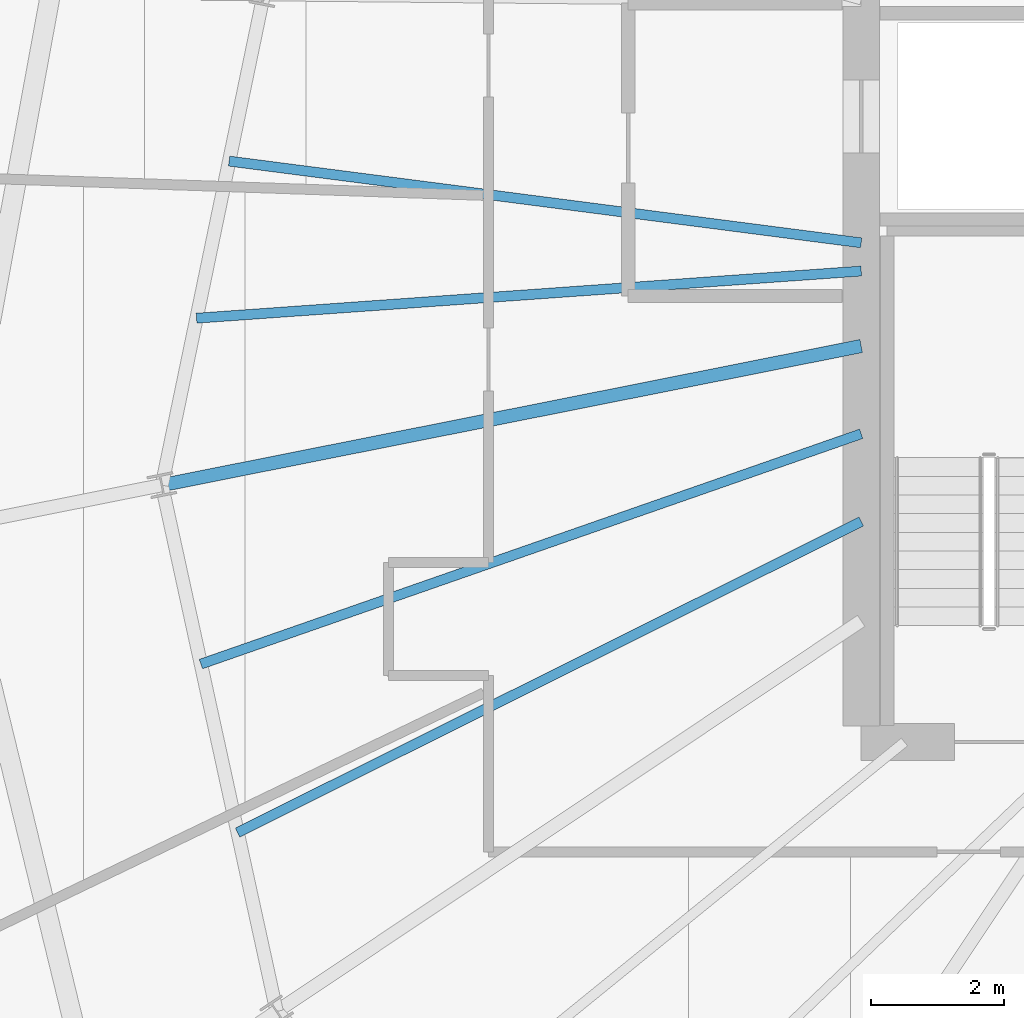
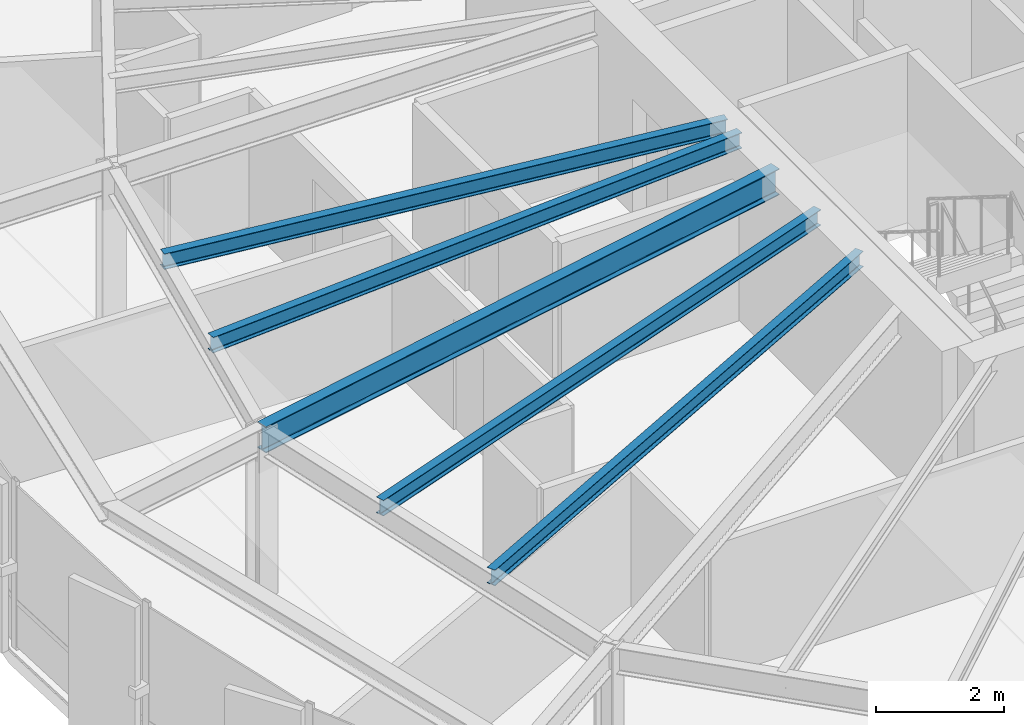
# One storey, part 9 of 35: 5 beams.
"""IFC4 building model written with IfcOpenShell, lengths in metres."""

import ifcopenshell
import ifcopenshell.guid

model = None  # the IFC model being written
_history = None  # IfcOwnerHistory: only IFC2X3 demands one
_inside = {}  # id of a spatial element -> (the spatial element, [elements in it])
_under = {}  # id of a project, library or spatial element -> (it, [spatial elements below it])
_declared = {}  # id of a project -> (the project, [libraries it declares])
_typed = {}  # id of a type object -> (the type object, [elements of that type])
_made_of = {}  # id of a material, layer set ... -> (it, [elements and type objects made of it])


def new_model(schema):
    """Start an empty IFC model of exactly this schema.

    Asked for "IFC4X3", IfcOpenShell would pick the latest addendum, in which some entities
    have other attributes; the version numbers below select the first issue.
    IFC2X3 requires an IfcOwnerHistory on every rooted entity: one is made here for all.
    """
    global model, _history
    if schema == "IFC4X3":
        model = ifcopenshell.file(schema_version=(4, 3, 0, 0))
    else:
        model = ifcopenshell.file(schema=schema)
    _inside.clear()
    _under.clear()
    _declared.clear()
    _typed.clear()
    _made_of.clear()
    _history = None
    if model.schema == "IFC2X3":
        org = make("IfcOrganization", Name="unknown")
        user = make(
            "IfcPersonAndOrganization",
            ThePerson=make("IfcPerson", FamilyName="unknown"),
            TheOrganization=org,
        )
        app = make(
            "IfcApplication",
            ApplicationDeveloper=org,
            Version="unknown",
            ApplicationFullName="unknown",
            ApplicationIdentifier="unknown",
        )
        _history = make(
            "IfcOwnerHistory",
            OwningUser=user,
            OwningApplication=app,
            ChangeAction="ADDED",
            CreationDate=0,
        )
    return model


def make(cls, **values):
    """One entity of the class cls with the attributes given. An attribute that is None is left unset."""
    return model.create_entity(
        cls, **{name: value for name, value in values.items() if value is not None}
    )


def rooted(cls, **values):
    """An entity with a GlobalId (a new one), such as an element, a storey or a relation."""
    return make(cls, GlobalId=ifcopenshell.guid.new(), OwnerHistory=_history, **values)


def si_unit(unit_type, name, prefix=None):
    """IfcSIUnit, for example si_unit("LENGTHUNIT", "METRE", prefix="MILLI")."""
    return make("IfcSIUnit", UnitType=unit_type, Prefix=prefix, Name=name)


def assignment(units):
    """IfcUnitAssignment: the units of a project."""
    return None if units is None else make("IfcUnitAssignment", Units=units)


def point(xyz):
    """IfcCartesianPoint."""
    return None if xyz is None else make("IfcCartesianPoint", Coordinates=xyz)


def direction(xyz):
    """IfcDirection."""
    return None if xyz is None else make("IfcDirection", DirectionRatios=xyz)


def frame(location, z_axis=None, x_axis=None):
    """IfcAxis2Placement3D, a coordinate frame: its origin and axes. An axis left out is left unset."""
    return make(
        "IfcAxis2Placement3D",
        Location=point(location),
        Axis=direction(z_axis),
        RefDirection=direction(x_axis),
    )


def frame_2d(location, x_axis=None):
    """IfcAxis2Placement2D, a coordinate frame in the plane: its origin and x axis."""
    return make(
        "IfcAxis2Placement2D", Location=point(location), RefDirection=direction(x_axis)
    )


def origin():
    """The frame at (0, 0, 0) with its axes left unset."""
    return frame((0.0, 0.0, 0.0))


def origin_2d():
    """The frame at (0, 0) in the plane with its x axis left unset."""
    return frame_2d((0.0, 0.0))


def place(relative_to, where):
    """IfcLocalPlacement: puts the frame where relative to a parent placement (None: the world)."""
    return make(
        "IfcLocalPlacement", PlacementRelTo=relative_to, RelativePlacement=where
    )


def context(
    kind, dimensions, precision=None, world=None, true_north=None, identifier=None
):
    """IfcGeometricRepresentationContext, for example the 3D "Model" context."""
    return make(
        "IfcGeometricRepresentationContext",
        ContextIdentifier=identifier,
        ContextType=kind,
        CoordinateSpaceDimension=dimensions,
        Precision=precision,
        WorldCoordinateSystem=world,
        TrueNorth=true_north,
    )


def subcontext(parent, identifier, kind, view, scale=None):
    """IfcGeometricRepresentationSubContext, for example "Body" below "Model"."""
    return make(
        "IfcGeometricRepresentationSubContext",
        ContextIdentifier=identifier,
        ContextType=kind,
        ParentContext=parent,
        TargetScale=scale,
        TargetView=view,
    )


def project(units=None, contexts=None):
    """IfcProject with its units and contexts."""
    return rooted(
        "IfcProject",
        Name="project",
        RepresentationContexts=contexts,
        UnitsInContext=assignment(units),
    )


def spatial(cls, under=None, at=None, **own):
    """A site, building, storey or space (cls), placed at a placement, below another one or the project."""
    s = rooted(cls, ObjectPlacement=at, **own)
    if under is not None:
        _under.setdefault(under.id(), (under, []))[1].append(s)
    return s


def profile(cls, at=None, kind="AREA", **sizes):
    """A parametric profile (cls). Its sizes go by their IFC names, for example OverallWidth=200.0."""
    return make(cls, ProfileType=kind, Position=at, **sizes)


def i_section(**sizes):
    """IfcIShapeProfileDef."""
    return profile("IfcIShapeProfileDef", **sizes)


def extrude(swept, where, along, depth):
    """IfcExtrudedAreaSolid: the profile swept, set in the frame where, extruded along a direction by depth."""
    return make(
        "IfcExtrudedAreaSolid",
        SweptArea=swept,
        Position=where,
        ExtrudedDirection=direction(along),
        Depth=depth,
    )


def shape(context_of_items, identifier, shape_type, items):
    """IfcShapeRepresentation: the items that make up one representation, for example the "Body"."""
    return make(
        "IfcShapeRepresentation",
        ContextOfItems=context_of_items,
        RepresentationIdentifier=identifier,
        RepresentationType=shape_type,
        Items=items,
    )


def source(mapping_origin, context_of_items, identifier, shape_type, items):
    """IfcRepresentationMap: a shape defined once, which mapped items show again and again."""
    return make(
        "IfcRepresentationMap",
        MappingOrigin=mapping_origin,
        MappedRepresentation=shape(context_of_items, identifier, shape_type, items),
    )


def transform(
    local_origin,
    x_axis=None,
    y_axis=None,
    z_axis=None,
    scale=None,
    scale2=None,
    scale3=None,
    uniform=True,
):
    """IfcCartesianTransformationOperator3D, or its non-uniform kind. x_axis, y_axis, z_axis: its Axis1, 2, 3."""
    if uniform:
        return make(
            "IfcCartesianTransformationOperator3D",
            Axis1=direction(x_axis),
            Axis2=direction(y_axis),
            LocalOrigin=point(local_origin),
            Scale=scale,
            Axis3=direction(z_axis),
        )
    return make(
        "IfcCartesianTransformationOperator3DnonUniform",
        Axis1=direction(x_axis),
        Axis2=direction(y_axis),
        LocalOrigin=point(local_origin),
        Scale=scale,
        Axis3=direction(z_axis),
        Scale2=scale2,
        Scale3=scale3,
    )


def mapped(mapping_source, mapping_target):
    """IfcMappedItem: shows the shape of a source again, moved by a transform."""
    return make(
        "IfcMappedItem", MappingSource=mapping_source, MappingTarget=mapping_target
    )


def material(Name=None, Category=None):
    """IfcMaterial."""
    return make("IfcMaterial", Name=Name, Category=Category)


def material_profile(
    of_material, cross_section, Name=None, Category=None, Priority=None
):
    """IfcMaterialProfile: a cross section and its material."""
    return make(
        "IfcMaterialProfile",
        Name=Name,
        Material=of_material,
        Profile=cross_section,
        Priority=Priority,
        Category=Category,
    )


def profile_set(profiles, Name=None, composite=None):
    """IfcMaterialProfileSet."""
    return make(
        "IfcMaterialProfileSet",
        Name=Name,
        MaterialProfiles=profiles,
        CompositeProfile=composite,
    )


def made_of(thing, what):
    """Note that an element or type object is made of a material, layer set ...; save() writes the relation."""
    if what is not None:
        _made_of.setdefault(what.id(), (what, []))[1].append(thing)
    return thing


def type_object(cls, material=None, **own):
    """A type object (cls), such as IfcWallType, which elements share."""
    return made_of(rooted(cls, **own), material)


def element(
    cls,
    number,
    at=None,
    inside=None,
    cuts=None,
    type_object=None,
    material=None,
    context=None,
    identifier="Body",
    shape_type=None,
    held_by="IfcProductDefinitionShape",
    body=None,
    shapes=None,
    **own,
):
    """One element of the class cls, such as IfcWall. Its Tag is "e" and its number.

    at: its placement. inside: the storey or other place that contains it. cuts: it is an
    opening in that element (IfcRelVoidsElement). A single representation is given by context,
    identifier, shape_type and body (its items); several are given by shapes. held_by: the class
    of the entity that holds the representations. save() writes the other relations.
    """
    e = rooted(cls, Tag="e%d" % number, ObjectPlacement=at, **own)
    if body is not None:
        shapes = [shape(context, identifier, shape_type, body)]
    if shapes is not None:
        e.Representation = make(held_by, Representations=shapes)
    if inside is not None:
        _inside.setdefault(inside.id(), (inside, []))[1].append(e)
    if cuts is not None:
        rooted(
            "IfcRelVoidsElement", RelatingBuildingElement=cuts, RelatedOpeningElement=e
        )
    if type_object is not None:
        _typed.setdefault(type_object.id(), (type_object, []))[1].append(e)
    return made_of(e, material)


def aggregate(whole, parts):
    """IfcRelAggregates: a whole, such as a stair, and the parts it consists of."""
    return rooted("IfcRelAggregates", RelatingObject=whole, RelatedObjects=parts)


def save(model, path):
    """Write the relations noted so far, then the file.

    IfcRelAggregates (storeys below a building ...), IfcRelContainedInSpatialStructure (elements
    in a storey), IfcRelDefinesByType, IfcRelAssociatesMaterial and IfcRelDeclares: one each for
    every whole, place, type object, material and project.
    """
    for whole, parts in _under.values():
        aggregate(whole, parts)
    for where, things in _inside.values():
        rooted(
            "IfcRelContainedInSpatialStructure",
            RelatedElements=things,
            RelatingStructure=where,
        )
    for kind, things in _typed.values():
        rooted("IfcRelDefinesByType", RelatedObjects=things, RelatingType=kind)
    for what, things in _made_of.values():
        rooted("IfcRelAssociatesMaterial", RelatedObjects=things, RelatingMaterial=what)
    for by, libraries in _declared.values():
        rooted("IfcRelDeclares", RelatingContext=by, RelatedDefinitions=libraries)
    model.write(path)


model = new_model("IFC4")

# Units and contexts
model_context = context("Model", 3, precision=1e-05, world=origin(), true_north=direction((0.0, 1.0)))
body_context = subcontext(model_context, "Body", "Model", "MODEL_VIEW")
ifc_project = project(units=[si_unit("LENGTHUNIT", "METRE"), si_unit("AREAUNIT", "SQUARE_METRE"), si_unit("VOLUMEUNIT", "CUBIC_METRE"), si_unit("PLANEANGLEUNIT", "RADIAN"), si_unit("MASSUNIT", "GRAM", prefix="KILO"), si_unit("THERMODYNAMICTEMPERATUREUNIT", "KELVIN")], contexts=[model_context])

# Site, building, storey
site_placement = place(None, origin())
site = spatial("IfcSite", under=ifc_project, at=site_placement, CompositionType="ELEMENT")
building_placement = place(site_placement, origin())
building = spatial("IfcBuilding", under=site, at=building_placement, Name="Kethvar Cultural Tower", CompositionType="ELEMENT")
storey_placement = place(building_placement, frame((0.0, 0.0, 204.39990234375)))
storey = spatial("IfcBuildingStorey", under=building, at=storey_placement, Name="L53", CompositionType="ELEMENT", Elevation=204.39990234375)

# Beams
ifc_material = material(Name="Steel S355J2", Category="steel")
ifc_material_profile_1 = material_profile(ifc_material, i_section(OverallWidth=0.199951171875, OverallDepth=0.5, WebThickness=0.01025390625, FlangeThickness=0.01611328125, FilletRadius=0.02099609375, at=origin_2d()), Name="Steel S355J2 — IPE500")
ifc_profile_set_1 = profile_set([ifc_material_profile_1], Name="Steel S355J2 — IPE500")
beam_type_1 = type_object("IfcBeamType", Name="BM-IPE500", PredefinedType="BEAM", material=ifc_profile_set_1)
shared_shape_1 = source(origin(), body_context, "Body", "SweptSolid", [
    extrude(i_section(OverallWidth=0.199951171875, OverallDepth=0.5, WebThickness=0.01025390625, FlangeThickness=0.01611328125, FilletRadius=0.02099609375, at=origin_2d()), origin(), (0.0, 0.0, 1.0), 10.712890625),
])
beam_1_placement = place(storey_placement, frame((38.0, 26.049560546875, 3.008056640625), z_axis=(-0.980787859831, -0.195077353908, 0.0), x_axis=(0.195077353908, -0.980787859831, 0.0)))
element("IfcBeam", 1, at=beam_1_placement, inside=storey, type_object=beam_type_1, Name="L53 Primary Radial Beam RB-09", PredefinedType="BEAM", context=body_context, shape_type="MappedRepresentation", body=[
    mapped(shared_shape_1, transform((0.0, 0.0, 0.0), scale=1.0)),
])
ifc_material_profile_2 = material_profile(ifc_material, i_section(OverallWidth=0.14990234375, OverallDepth=0.300048828125, WebThickness=0.007080078125, FlangeThickness=0.0107421875, FilletRadius=0.014892578125, at=origin_2d()), Name="Steel S355J2 — IPE300")
ifc_profile_set_2 = profile_set([ifc_material_profile_2], Name="Steel S355J2 — IPE300")
beam_type_2 = type_object("IfcBeamType", Name="BM-J300", PredefinedType="JOIST", material=ifc_profile_set_2)
shared_shape_2 = source(origin(), body_context, "Body", "SweptSolid", [
    extrude(i_section(OverallWidth=0.14990234375, OverallDepth=0.300048828125, WebThickness=0.007080078125, FlangeThickness=0.0107421875, FilletRadius=0.014892578125, at=origin_2d()), origin(), (0.0, 0.0, 1.0), 9.5751953125),
])
beam_2_placement = place(storey_placement, frame((38.0, 27.60009765625, 3.108154296875), z_axis=(-0.991744950922, 0.128226176424, 0.0), x_axis=(-0.128226176424, -0.991744950922, 0.0)))
element("IfcBeam", 2, at=beam_2_placement, inside=storey, type_object=beam_type_2, Name="L53 Composite Floor Joist J-08A", PredefinedType="JOIST", context=body_context, shape_type="MappedRepresentation", body=[
    mapped(shared_shape_2, transform((0.0, 0.0, 0.0), scale=1.0)),
])
shared_shape_3 = source(origin(), body_context, "Body", "SweptSolid", [
    extrude(i_section(OverallWidth=0.14990234375, OverallDepth=0.300048828125, WebThickness=0.007080078125, FlangeThickness=0.0107421875, FilletRadius=0.014892578125, at=origin_2d()), origin(), (0.0, 0.0, 1.0), 10.01123046875),
])
beam_3_placement = place(storey_placement, frame((38.0, 27.17578125, 3.108154296875), z_axis=(-0.997494349679, -0.070746182637, 0.0), x_axis=(0.070746182637, -0.997494349679, 0.0)))
element("IfcBeam", 3, at=beam_3_placement, inside=storey, type_object=beam_type_2, Name="L53 Composite Floor Joist J-08B", PredefinedType="JOIST", context=body_context, shape_type="MappedRepresentation", body=[
    mapped(shared_shape_3, transform((0.0, 0.0, 0.0), scale=1.0)),
])
shared_shape_4 = source(origin(), body_context, "Body", "SweptSolid", [
    extrude(i_section(OverallWidth=0.14990234375, OverallDepth=0.300048828125, WebThickness=0.007080078125, FlangeThickness=0.0107421875, FilletRadius=0.014892578125, at=origin_2d()), origin(), (0.0, 0.0, 1.0), 10.506591796875),
])
beam_4_placement = place(storey_placement, frame((38.0, 24.73095703125, 3.108154296875), z_axis=(-0.944221858738, -0.329310008171, 0.0), x_axis=(0.329310008171, -0.944221858738, 0.0)))
element("IfcBeam", 4, at=beam_4_placement, inside=storey, type_object=beam_type_2, Name="L53 Composite Floor Joist J-09A", PredefinedType="JOIST", context=body_context, shape_type="MappedRepresentation", body=[
    mapped(shared_shape_4, transform((0.0, 0.0, 0.0), scale=1.0)),
])
shared_shape_5 = source(origin(), body_context, "Body", "SweptSolid", [
    extrude(i_section(OverallWidth=0.14990234375, OverallDepth=0.300048828125, WebThickness=0.007080078125, FlangeThickness=0.0107421875, FilletRadius=0.014892578125, at=origin_2d()), origin(), (0.0, 0.0, 1.0), 10.468994140625),
])
beam_5_placement = place(storey_placement, frame((38.0, 23.412109375, 3.108154296875), z_axis=(-0.894916380948, -0.446233874904, 0.0), x_axis=(0.446233874904, -0.894916380948, 0.0)))
element("IfcBeam", 5, at=beam_5_placement, inside=storey, type_object=beam_type_2, Name="L53 Composite Floor Joist J-09B", PredefinedType="JOIST", context=body_context, shape_type="MappedRepresentation", body=[
    mapped(shared_shape_5, transform((0.0, 0.0, 0.0), scale=1.0)),
])

save(model, "model.ifc")
